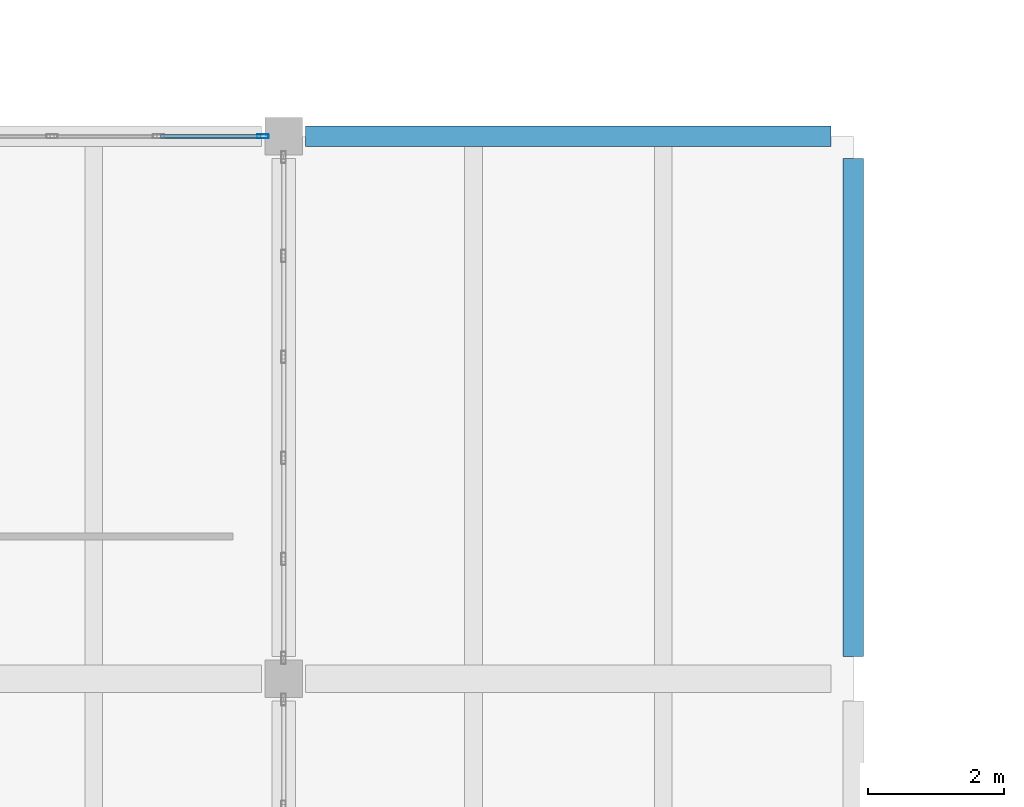
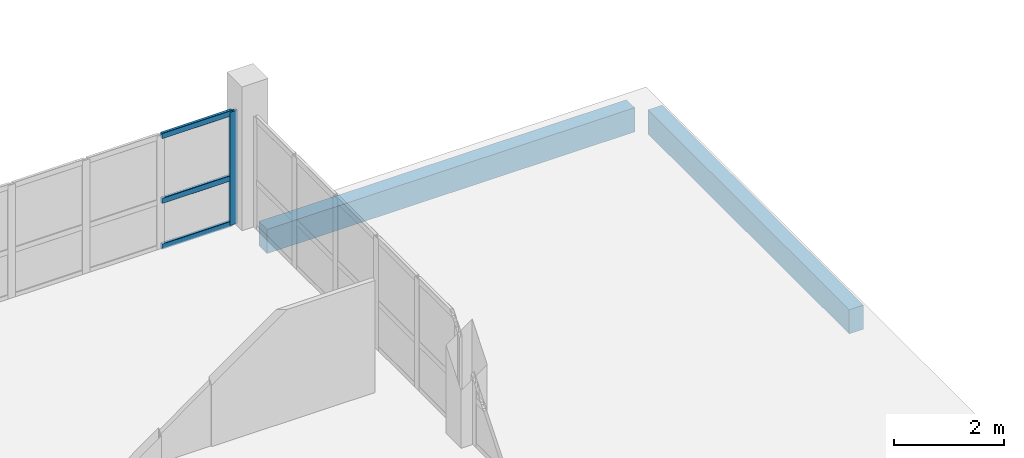
# One storey, part 17 of 24: 4 members, 2 beams, 1 element without a shape of its own.
"""IFC4 building model written with IfcOpenShell, lengths in metres."""

import ifcopenshell
import ifcopenshell.guid

model = None  # the IFC model being written
_history = None  # IfcOwnerHistory: only IFC2X3 demands one
_inside = {}  # id of a spatial element -> (the spatial element, [elements in it])
_under = {}  # id of a project, library or spatial element -> (it, [spatial elements below it])
_declared = {}  # id of a project -> (the project, [libraries it declares])
_typed = {}  # id of a type object -> (the type object, [elements of that type])
_made_of = {}  # id of a material, layer set ... -> (it, [elements and type objects made of it])


def new_model(schema):
    """Start an empty IFC model of exactly this schema.

    Asked for "IFC4X3", IfcOpenShell would pick the latest addendum, in which some entities
    have other attributes; the version numbers below select the first issue.
    IFC2X3 requires an IfcOwnerHistory on every rooted entity: one is made here for all.
    """
    global model, _history
    if schema == "IFC4X3":
        model = ifcopenshell.file(schema_version=(4, 3, 0, 0))
    else:
        model = ifcopenshell.file(schema=schema)
    _inside.clear()
    _under.clear()
    _declared.clear()
    _typed.clear()
    _made_of.clear()
    _history = None
    if model.schema == "IFC2X3":
        org = make("IfcOrganization", Name="unknown")
        user = make(
            "IfcPersonAndOrganization",
            ThePerson=make("IfcPerson", FamilyName="unknown"),
            TheOrganization=org,
        )
        app = make(
            "IfcApplication",
            ApplicationDeveloper=org,
            Version="unknown",
            ApplicationFullName="unknown",
            ApplicationIdentifier="unknown",
        )
        _history = make(
            "IfcOwnerHistory",
            OwningUser=user,
            OwningApplication=app,
            ChangeAction="ADDED",
            CreationDate=0,
        )
    return model


def make(cls, **values):
    """One entity of the class cls with the attributes given. An attribute that is None is left unset."""
    return model.create_entity(
        cls, **{name: value for name, value in values.items() if value is not None}
    )


def rooted(cls, **values):
    """An entity with a GlobalId (a new one), such as an element, a storey or a relation."""
    return make(cls, GlobalId=ifcopenshell.guid.new(), OwnerHistory=_history, **values)


def si_unit(unit_type, name, prefix=None):
    """IfcSIUnit, for example si_unit("LENGTHUNIT", "METRE", prefix="MILLI")."""
    return make("IfcSIUnit", UnitType=unit_type, Prefix=prefix, Name=name)


def assignment(units):
    """IfcUnitAssignment: the units of a project."""
    return None if units is None else make("IfcUnitAssignment", Units=units)


def point(xyz):
    """IfcCartesianPoint."""
    return None if xyz is None else make("IfcCartesianPoint", Coordinates=xyz)


def direction(xyz):
    """IfcDirection."""
    return None if xyz is None else make("IfcDirection", DirectionRatios=xyz)


def frame(location, z_axis=None, x_axis=None):
    """IfcAxis2Placement3D, a coordinate frame: its origin and axes. An axis left out is left unset."""
    return make(
        "IfcAxis2Placement3D",
        Location=point(location),
        Axis=direction(z_axis),
        RefDirection=direction(x_axis),
    )


def frame_2d(location, x_axis=None):
    """IfcAxis2Placement2D, a coordinate frame in the plane: its origin and x axis."""
    return make(
        "IfcAxis2Placement2D", Location=point(location), RefDirection=direction(x_axis)
    )


def origin():
    """The frame at (0, 0, 0) with its axes left unset."""
    return frame((0.0, 0.0, 0.0))


def origin_2d():
    """The frame at (0, 0) in the plane with its x axis left unset."""
    return frame_2d((0.0, 0.0))


def place(relative_to, where):
    """IfcLocalPlacement: puts the frame where relative to a parent placement (None: the world)."""
    return make(
        "IfcLocalPlacement", PlacementRelTo=relative_to, RelativePlacement=where
    )


def context(
    kind, dimensions, precision=None, world=None, true_north=None, identifier=None
):
    """IfcGeometricRepresentationContext, for example the 3D "Model" context."""
    return make(
        "IfcGeometricRepresentationContext",
        ContextIdentifier=identifier,
        ContextType=kind,
        CoordinateSpaceDimension=dimensions,
        Precision=precision,
        WorldCoordinateSystem=world,
        TrueNorth=true_north,
    )


def subcontext(parent, identifier, kind, view, scale=None):
    """IfcGeometricRepresentationSubContext, for example "Body" below "Model"."""
    return make(
        "IfcGeometricRepresentationSubContext",
        ContextIdentifier=identifier,
        ContextType=kind,
        ParentContext=parent,
        TargetScale=scale,
        TargetView=view,
    )


def project(units=None, contexts=None):
    """IfcProject with its units and contexts."""
    return rooted(
        "IfcProject",
        Name="project",
        RepresentationContexts=contexts,
        UnitsInContext=assignment(units),
    )


def spatial(cls, under=None, at=None, **own):
    """A site, building, storey or space (cls), placed at a placement, below another one or the project."""
    s = rooted(cls, ObjectPlacement=at, **own)
    if under is not None:
        _under.setdefault(under.id(), (under, []))[1].append(s)
    return s


def profile(cls, at=None, kind="AREA", **sizes):
    """A parametric profile (cls). Its sizes go by their IFC names, for example OverallWidth=200.0."""
    return make(cls, ProfileType=kind, Position=at, **sizes)


def rectangle(**sizes):
    """IfcRectangleProfileDef."""
    return profile("IfcRectangleProfileDef", **sizes)


def hollow_rectangle(**sizes):
    """IfcRectangleHollowProfileDef."""
    return profile("IfcRectangleHollowProfileDef", **sizes)


def extrude(swept, where, along, depth):
    """IfcExtrudedAreaSolid: the profile swept, set in the frame where, extruded along a direction by depth."""
    return make(
        "IfcExtrudedAreaSolid",
        SweptArea=swept,
        Position=where,
        ExtrudedDirection=direction(along),
        Depth=depth,
    )


def shape(context_of_items, identifier, shape_type, items):
    """IfcShapeRepresentation: the items that make up one representation, for example the "Body"."""
    return make(
        "IfcShapeRepresentation",
        ContextOfItems=context_of_items,
        RepresentationIdentifier=identifier,
        RepresentationType=shape_type,
        Items=items,
    )


def material(Name=None, Category=None):
    """IfcMaterial."""
    return make("IfcMaterial", Name=Name, Category=Category)


def layer(
    of_material, thickness, ventilated=None, Name=None, Category=None, Priority=None
):
    """IfcMaterialLayer: one layer of a wall or slab, of a material (None: an air gap)."""
    return make(
        "IfcMaterialLayer",
        Material=of_material,
        LayerThickness=thickness,
        IsVentilated=ventilated,
        Name=Name,
        Category=Category,
        Priority=Priority,
    )


def layer_set(layers, Name=None):
    """IfcMaterialLayerSet."""
    return make("IfcMaterialLayerSet", MaterialLayers=layers, LayerSetName=Name)


def material_profile(
    of_material, cross_section, Name=None, Category=None, Priority=None
):
    """IfcMaterialProfile: a cross section and its material."""
    return make(
        "IfcMaterialProfile",
        Name=Name,
        Material=of_material,
        Profile=cross_section,
        Priority=Priority,
        Category=Category,
    )


def profile_set(profiles, Name=None, composite=None):
    """IfcMaterialProfileSet."""
    return make(
        "IfcMaterialProfileSet",
        Name=Name,
        MaterialProfiles=profiles,
        CompositeProfile=composite,
    )


def made_of(thing, what):
    """Note that an element or type object is made of a material, layer set ...; save() writes the relation."""
    if what is not None:
        _made_of.setdefault(what.id(), (what, []))[1].append(thing)
    return thing


def type_object(cls, material=None, **own):
    """A type object (cls), such as IfcWallType, which elements share."""
    return made_of(rooted(cls, **own), material)


def element(
    cls,
    number,
    at=None,
    inside=None,
    cuts=None,
    type_object=None,
    material=None,
    context=None,
    identifier="Body",
    shape_type=None,
    held_by="IfcProductDefinitionShape",
    body=None,
    shapes=None,
    **own,
):
    """One element of the class cls, such as IfcWall. Its Tag is "e" and its number.

    at: its placement. inside: the storey or other place that contains it. cuts: it is an
    opening in that element (IfcRelVoidsElement). A single representation is given by context,
    identifier, shape_type and body (its items); several are given by shapes. held_by: the class
    of the entity that holds the representations. save() writes the other relations.
    """
    e = rooted(cls, Tag="e%d" % number, ObjectPlacement=at, **own)
    if body is not None:
        shapes = [shape(context, identifier, shape_type, body)]
    if shapes is not None:
        e.Representation = make(held_by, Representations=shapes)
    if inside is not None:
        _inside.setdefault(inside.id(), (inside, []))[1].append(e)
    if cuts is not None:
        rooted(
            "IfcRelVoidsElement", RelatingBuildingElement=cuts, RelatedOpeningElement=e
        )
    if type_object is not None:
        _typed.setdefault(type_object.id(), (type_object, []))[1].append(e)
    return made_of(e, material)


def aggregate(whole, parts):
    """IfcRelAggregates: a whole, such as a stair, and the parts it consists of."""
    return rooted("IfcRelAggregates", RelatingObject=whole, RelatedObjects=parts)


def save(model, path):
    """Write the relations noted so far, then the file.

    IfcRelAggregates (storeys below a building ...), IfcRelContainedInSpatialStructure (elements
    in a storey), IfcRelDefinesByType, IfcRelAssociatesMaterial and IfcRelDeclares: one each for
    every whole, place, type object, material and project.
    """
    for whole, parts in _under.values():
        aggregate(whole, parts)
    for where, things in _inside.values():
        rooted(
            "IfcRelContainedInSpatialStructure",
            RelatedElements=things,
            RelatingStructure=where,
        )
    for kind, things in _typed.values():
        rooted("IfcRelDefinesByType", RelatedObjects=things, RelatingType=kind)
    for what, things in _made_of.values():
        rooted("IfcRelAssociatesMaterial", RelatedObjects=things, RelatingMaterial=what)
    for by, libraries in _declared.values():
        rooted("IfcRelDeclares", RelatingContext=by, RelatedDefinitions=libraries)
    model.write(path)


model = new_model("IFC4")

# Units and contexts
model_context = context("Model", 3, precision=1e-05, world=origin(), true_north=direction((0.0, 1.0)))
body_context = subcontext(model_context, "Body", "Model", "MODEL_VIEW")
ifc_project = project(units=[si_unit("LENGTHUNIT", "METRE"), si_unit("AREAUNIT", "SQUARE_METRE"), si_unit("VOLUMEUNIT", "CUBIC_METRE"), si_unit("PLANEANGLEUNIT", "RADIAN"), si_unit("MASSUNIT", "GRAM", prefix="KILO"), si_unit("THERMODYNAMICTEMPERATUREUNIT", "KELVIN"), si_unit("POWERUNIT", "WATT")], contexts=[model_context])

# Site, building, storey
site_placement = place(None, origin())
site = spatial("IfcSite", under=ifc_project, at=site_placement, CompositionType="ELEMENT")
building_placement = place(site_placement, origin())
building = spatial("IfcBuilding", under=site, at=building_placement, Name="Mavoryth Pier Ferry Terminal", CompositionType="ELEMENT")
storey_placement = place(building_placement, frame((0.0, 0.0, 16.320068359375)))
storey = spatial("IfcBuildingStorey", under=building, at=storey_placement, Name="L04", CompositionType="ELEMENT", Elevation=16.320068359375)

# Curtain wall, member
ifc_material_1 = material(Name="Anodised Aluminium and Solar-Control Low-E Glass", Category="aluminium")
ifc_layer = layer(ifc_material_1, 0.260009765625, Name="Anodised Aluminium and Solar-Control Low-E Glass", Category="aluminium")
ifc_layer_set = layer_set([ifc_layer], Name="Anodised Aluminium and Solar-Control Low-E Glass - CW-VTSBridge-Mod1500")
curtain_wall_type = type_object("IfcCurtainWallType", Name="CW-VTSBridge-Mod1500", PredefinedType="USERDEFINED", material=ifc_layer_set)
curtain_wall_placement = place(storey_placement, origin())
curtain_wall = element("IfcCurtainWall", 1, at=curtain_wall_placement, inside=storey, type_object=curtain_wall_type, Name="Curtain Wall CW-0422-156", ObjectType="UNITISED CURTAIN WALL", PredefinedType="USERDEFINED")
ifc_material_2 = material(Name="Anodised Aluminium EN AW-6063", Category="aluminium")
ifc_material_profile_1 = material_profile(ifc_material_2, hollow_rectangle(XDim=0.06005859375, YDim=0.1650390625, WallThickness=0.00390625, InnerFilletRadius=0.00390625, OuterFilletRadius=0.008056640625, at=origin_2d()), Name="AL-MULL 165x60x4", Category="aluminium")
ifc_profile_set_1 = profile_set([ifc_material_profile_1], Name="Anodised Aluminium EN AW-6063 - AL-MULL 165x60x4")
member_type_1 = type_object("IfcMemberType", Name="Mullion-Alum-165x60", PredefinedType="MULLION", material=ifc_profile_set_1)
member_1_placement = place(storey_placement, frame((75.294921875, 22.0, 0.0), z_axis=(0.0, 0.0, 1.0), x_axis=(0.0, -1.0, 0.0)))
member_1 = element("IfcMember", 2, at=member_1_placement, type_object=member_type_1, Name="CW07 mullion 1", PredefinedType="MULLION", context=body_context, shape_type="SweptSolid", body=[
    extrude(hollow_rectangle(XDim=0.06005859375, YDim=0.1650390625, WallThickness=0.00390625, InnerFilletRadius=0.00390625, OuterFilletRadius=0.008056640625, at=origin_2d()), origin(), (0.0, 0.0, 1.0), 2.52490234375),
])

# Beams
ifc_material_3 = material(Name="Concrete C35/45", Category="concrete")
ifc_material_profile_2 = material_profile(ifc_material_3, rectangle(XDim=0.300048828125, YDim=0.5400390625, at=origin_2d()), Name="RC 300x540", Category="concrete")
ifc_profile_set_2 = profile_set([ifc_material_profile_2], Name="Concrete C35/45 - RC 300x540")
beam_type = type_object("IfcBeamType", Name="Spandrel-RC-300x540", PredefinedType="SPANDREL", material=ifc_profile_set_2)
beam_1_placement = place(storey_placement, frame((75.925048828125, 22.0, -0.530029296875), z_axis=(1.0, 0.0, 0.0), x_axis=(0.0, 1.0, 0.0)))
element("IfcBeam", 3, at=beam_1_placement, inside=storey, type_object=beam_type, Name="Beam B04-SP02-1476", PredefinedType="SPANDREL", context=body_context, shape_type="SweptSolid", body=[
    extrude(rectangle(XDim=0.300048828125, YDim=0.5400390625, at=origin_2d()), origin(), (0.0, 0.0, 1.0), 7.75),
])
beam_2_placement = place(storey_placement, frame((84.0, 14.324951171875, -0.530029296875), z_axis=(0.0, 1.0, 0.0), x_axis=(-1.0, 0.0, 0.0)))
element("IfcBeam", 4, at=beam_2_placement, inside=storey, type_object=beam_type, Name="Beam B04-SP02-1491", PredefinedType="SPANDREL", context=body_context, shape_type="SweptSolid", body=[
    extrude(rectangle(XDim=0.300048828125, YDim=0.5400390625, at=origin_2d()), origin(), (0.0, 0.0, 1.0), 7.35009765625),
])

# Member
ifc_material_profile_3 = material_profile(ifc_material_2, hollow_rectangle(XDim=0.06005859375, YDim=0.125, WallThickness=0.00390625, InnerFilletRadius=0.00390625, OuterFilletRadius=0.008056640625, at=origin_2d()), Name="AL-TRAN 125x60x4", Category="aluminium")
ifc_profile_set_3 = profile_set([ifc_material_profile_3], Name="Anodised Aluminium EN AW-6063 - AL-TRAN 125x60x4")
member_type_2 = type_object("IfcMemberType", Name="Transom-Alum-125x60", PredefinedType="USERDEFINED", material=ifc_profile_set_3)
member_2_placement = place(storey_placement, frame((75.264892578125, 22.0, 0.030029296875), z_axis=(-1.0, 0.0, 0.0), x_axis=(0.0, -1.0, 0.0)))
member_2 = element("IfcMember", 5, at=member_2_placement, type_object=member_type_2, Name="CW07 transom 1.1", ObjectType="TRANSOM", PredefinedType="USERDEFINED", context=body_context, shape_type="SweptSolid", body=[
    extrude(hollow_rectangle(XDim=0.06005859375, YDim=0.125, WallThickness=0.00390625, InnerFilletRadius=0.00390625, OuterFilletRadius=0.008056640625, at=origin_2d()), origin(), (0.0, 0.0, 1.0), 1.47998046875),
])

member_3_placement = place(storey_placement, frame((75.264892578125, 22.0, 1.050048828125), z_axis=(-1.0, 0.0, 0.0), x_axis=(0.0, -1.0, 0.0)))
member_3 = element("IfcMember", 6, at=member_3_placement, type_object=member_type_2, Name="CW07 transom 1.2", ObjectType="TRANSOM", PredefinedType="USERDEFINED", context=body_context, shape_type="SweptSolid", body=[
    extrude(hollow_rectangle(XDim=0.06005859375, YDim=0.125, WallThickness=0.00390625, InnerFilletRadius=0.00390625, OuterFilletRadius=0.008056640625, at=origin_2d()), origin(), (0.0, 0.0, 1.0), 1.47998046875),
])

member_4_placement = place(storey_placement, frame((75.264892578125, 22.0, 2.494873046875), z_axis=(-1.0, 0.0, 0.0), x_axis=(0.0, -1.0, 0.0)))
member_4 = element("IfcMember", 7, at=member_4_placement, type_object=member_type_2, Name="CW07 transom 1.3", ObjectType="TRANSOM", PredefinedType="USERDEFINED", context=body_context, shape_type="SweptSolid", body=[
    extrude(hollow_rectangle(XDim=0.06005859375, YDim=0.125, WallThickness=0.00390625, InnerFilletRadius=0.00390625, OuterFilletRadius=0.008056640625, at=origin_2d()), origin(), (0.0, 0.0, 1.0), 1.47998046875),
])

aggregate(curtain_wall, [member_1, member_2, member_3, member_4])

save(model, "model.ifc")
